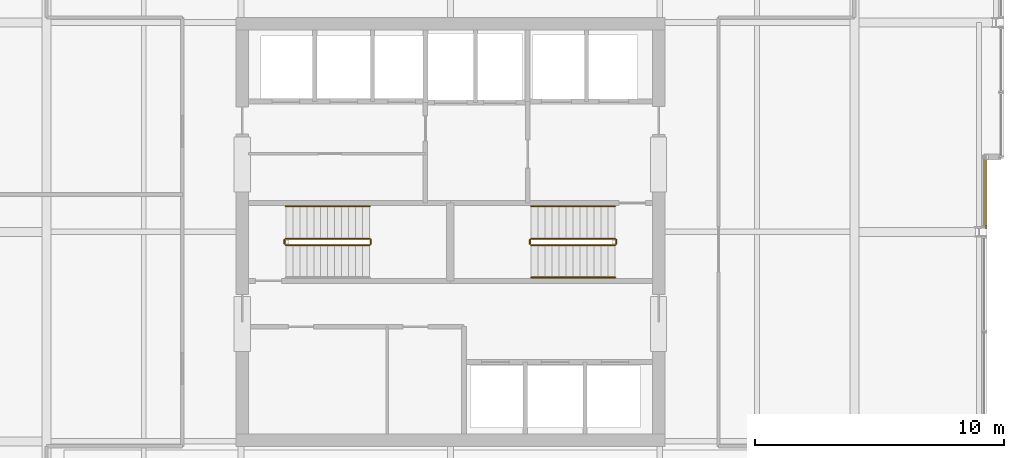
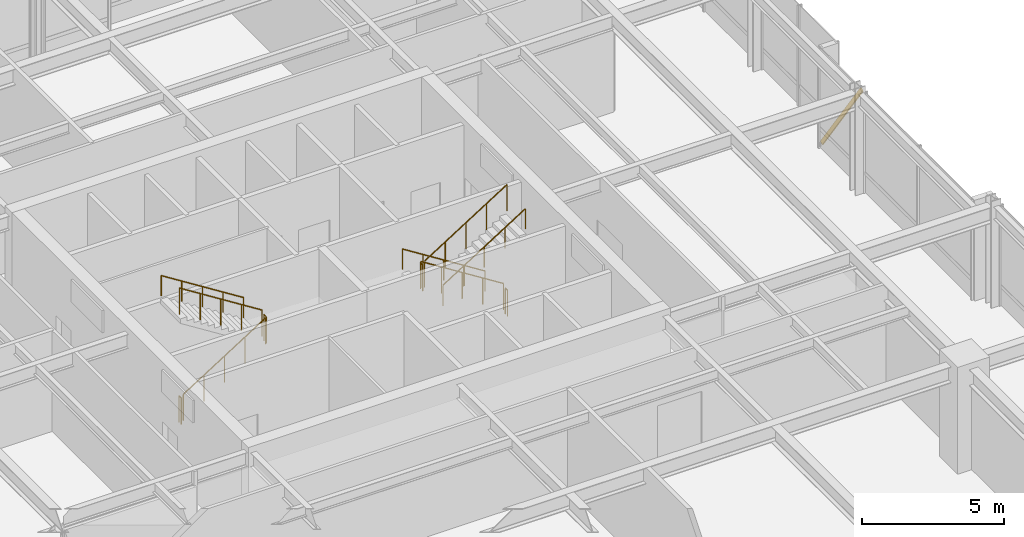
# One storey, part 31 of 32: 11 railings, 1 shading device.
"""IFC4 building model written with IfcOpenShell, lengths in metres."""

from ifc_helpers import new_model, si_unit, direction, frame, origin, origin_2d, place, context, subcontext, project, spatial, hollow_rectangle, circle, extrude, material, material_profile, profile_set, type_object, element, save


model = new_model("IFC4")

# Units and contexts
model_context = context("Model", 3, precision=1e-05, world=origin(), true_north=direction((0.0, 1.0)))
body_context = subcontext(model_context, "Body", "Model", "MODEL_VIEW")
ifc_project = project(units=[si_unit("LENGTHUNIT", "METRE"), si_unit("AREAUNIT", "SQUARE_METRE"), si_unit("VOLUMEUNIT", "CUBIC_METRE"), si_unit("PLANEANGLEUNIT", "RADIAN"), si_unit("MASSUNIT", "GRAM", prefix="KILO")], contexts=[model_context])

# Site, building, storey
site_placement = place(None, origin())
site = spatial("IfcSite", under=ifc_project, at=site_placement, CompositionType="ELEMENT")
building_placement = place(site_placement, origin())
building = spatial("IfcBuilding", under=site, at=building_placement, Name="Drelvath Grand Hotel", CompositionType="ELEMENT")
storey_placement = place(building_placement, frame((0.0, 0.0, 145.800048828125)))
storey = spatial("IfcBuildingStorey", under=building, at=storey_placement, Name="L37", CompositionType="ELEMENT", Elevation=145.800048828125)

# Railings
ifc_material_1 = material(Name="Painted Steel S275", Category="steel")
railing_type_1 = type_object("IfcRailingType", Name="Core Stair Wall Handrail 900", PredefinedType="HANDRAIL", material=ifc_material_1)
railing_1_placement = place(storey_placement, frame((-3.239990234375, 28.030029296875, 2.476806640625)))
element("IfcRailing", 1, at=railing_1_placement, inside=storey, type_object=railing_type_1, Name="L37 ST-1 stair handrail 2", PredefinedType="HANDRAIL", context=body_context, shape_type="SweptSolid", body=[
    extrude(circle(Radius=0.02392578125, at=origin_2d()), frame((0.0, 0.0, 0.8759765625), z_axis=(-0.845389635667, 0.0, 0.534150132366), x_axis=(0.0, -1.0, 0.0)), (0.0, 0.0, 1.0), 3.974609375),
    extrude(circle(Radius=0.02099609375, at=origin_2d()), origin(), (0.0, 0.0, 1.0), 0.851806640625),
    extrude(circle(Radius=0.02099609375, at=origin_2d()), frame((-0.840087890625, 0.0, 0.53076171875)), (0.0, 0.0, 1.0), 0.851806640625),
    extrude(circle(Radius=0.02099609375, at=origin_2d()), frame((-1.68017578125, 0.0, 1.0615234375)), (0.0, 0.0, 1.0), 0.851806640625),
    extrude(circle(Radius=0.02099609375, at=origin_2d()), frame((-2.52001953125, 0.0, 1.59228515625)), (0.0, 0.0, 1.0), 0.851806640625),
    extrude(circle(Radius=0.02099609375, at=origin_2d()), frame((-3.360107421875, 0.0, 2.123046875)), (0.0, 0.0, 1.0), 0.851806640625),
])
railing_2_placement = place(storey_placement, frame((6.60009765625, 28.030029296875, 0.1767578125)))
element("IfcRailing", 2, at=railing_2_placement, inside=storey, type_object=railing_type_1, Name="L37 ST-2 stair handrail 1", PredefinedType="HANDRAIL", context=body_context, shape_type="SweptSolid", body=[
    extrude(circle(Radius=0.02392578125, at=origin_2d()), frame((0.0, 0.0, 0.8759765625), z_axis=(-0.845361898145, 0.0, 0.534194029511), x_axis=(0.0, -1.0, 0.0)), (0.0, 0.0, 1.0), 3.974853515625),
    extrude(circle(Radius=0.02099609375, at=origin_2d()), origin(), (0.0, 0.0, 1.0), 0.851806640625),
    extrude(circle(Radius=0.02099609375, at=origin_2d()), frame((-0.840087890625, 0.0, 0.53076171875)), (0.0, 0.0, 1.0), 0.851806640625),
    extrude(circle(Radius=0.02099609375, at=origin_2d()), frame((-1.68017578125, 0.0, 1.0615234375)), (0.0, 0.0, 1.0), 0.851806640625),
    extrude(circle(Radius=0.02099609375, at=origin_2d()), frame((-2.52001953125, 0.0, 1.592529296875)), (0.0, 0.0, 1.0), 0.851806640625),
    extrude(circle(Radius=0.02099609375, at=origin_2d()), frame((-3.360107421875, 0.0, 2.123291015625)), (0.0, 0.0, 1.0), 0.851806640625),
])
railing_3_placement = place(storey_placement, frame((3.239990234375, 25.169921875, 2.476806640625)))
element("IfcRailing", 3, at=railing_3_placement, inside=storey, type_object=railing_type_1, Name="L37 ST-2 stair handrail 2", PredefinedType="HANDRAIL", context=body_context, shape_type="SweptSolid", body=[
    extrude(circle(Radius=0.02392578125, at=origin_2d()), frame((0.0, 0.0, 0.8759765625), z_axis=(0.845389635667, 0.0, 0.534150132366), x_axis=(0.0, 1.0, 0.0)), (0.0, 0.0, 1.0), 3.974609375),
    extrude(circle(Radius=0.02099609375, at=origin_2d()), origin(), (0.0, 0.0, 1.0), 0.851806640625),
    extrude(circle(Radius=0.02099609375, at=origin_2d()), frame((0.840087890625, 0.0, 0.53076171875)), (0.0, 0.0, 1.0), 0.851806640625),
    extrude(circle(Radius=0.02099609375, at=origin_2d()), frame((1.68017578125, 0.0, 1.0615234375)), (0.0, 0.0, 1.0), 0.851806640625),
    extrude(circle(Radius=0.02099609375, at=origin_2d()), frame((2.52001953125, 0.0, 1.59228515625)), (0.0, 0.0, 1.0), 0.851806640625),
    extrude(circle(Radius=0.02099609375, at=origin_2d()), frame((3.360107421875, 0.0, 2.123046875)), (0.0, 0.0, 1.0), 0.851806640625),
])
railing_type_2 = type_object("IfcRailingType", Name="Core Stair Well Guardrail 1100", PredefinedType="GUARDRAIL", material=ifc_material_1)
railing_4_placement = place(storey_placement, frame((-6.60009765625, 26.469970703125, 0.1767578125)))
element("IfcRailing", 4, at=railing_4_placement, inside=storey, type_object=railing_type_2, Name="L37 ST-1 stair guard 1", PredefinedType="GUARDRAIL", context=body_context, shape_type="SweptSolid", body=[
    extrude(circle(Radius=0.02392578125, at=origin_2d()), frame((0.0, 0.0, 1.1259765625), z_axis=(0.845361898145, 0.0, 0.534194029511), x_axis=(0.0, 1.0, 0.0)), (0.0, 0.0, 1.0), 3.974853515625),
    extrude(circle(Radius=0.02099609375, at=origin_2d()), origin(), (0.0, 0.0, 1.0), 1.101806640625),
    extrude(circle(Radius=0.02099609375, at=origin_2d()), frame((0.840087890625, 0.0, 0.53076171875)), (0.0, 0.0, 1.0), 1.101806640625),
    extrude(circle(Radius=0.02099609375, at=origin_2d()), frame((1.68017578125, 0.0, 1.0615234375)), (0.0, 0.0, 1.0), 1.101806640625),
    extrude(circle(Radius=0.02099609375, at=origin_2d()), frame((2.52001953125, 0.0, 1.592529296875)), (0.0, 0.0, 1.0), 1.101806640625),
    extrude(circle(Radius=0.02099609375, at=origin_2d()), frame((3.360107421875, 0.0, 2.123291015625)), (0.0, 0.0, 1.0), 1.101806640625),
])
railing_5_placement = place(storey_placement, frame((-3.18994140625, 26.52001953125, 2.300048828125)))
element("IfcRailing", 5, at=railing_5_placement, inside=storey, type_object=railing_type_2, Name="L37 ST-1 stair guard 2", PredefinedType="GUARDRAIL", context=body_context, shape_type="SweptSolid", body=[
    extrude(circle(Radius=0.02392578125, at=origin_2d()), frame((0.0, 0.0, 1.1259765625), z_axis=(0.0, 1.0, 0.0), x_axis=(-1.0, 0.0, 0.0)), (0.0, 0.0, 1.0), 0.159912109375),
    extrude(circle(Radius=0.02099609375, at=origin_2d()), origin(), (0.0, 0.0, 1.0), 1.101806640625),
    extrude(circle(Radius=0.02099609375, at=origin_2d()), frame((0.0, 0.159912109375, 0.0)), (0.0, 0.0, 1.0), 1.101806640625),
])
railing_6_placement = place(storey_placement, frame((-3.239990234375, 26.72998046875, 2.476806640625)))
element("IfcRailing", 6, at=railing_6_placement, inside=storey, type_object=railing_type_2, Name="L37 ST-1 stair guard 3", PredefinedType="GUARDRAIL", context=body_context, shape_type="SweptSolid", body=[
    extrude(circle(Radius=0.02392578125, at=origin_2d()), frame((0.0, 0.0, 1.1259765625), z_axis=(-0.845389635667, 0.0, 0.534150132366), x_axis=(0.0, -1.0, 0.0)), (0.0, 0.0, 1.0), 3.974609375),
    extrude(circle(Radius=0.02099609375, at=origin_2d()), origin(), (0.0, 0.0, 1.0), 1.101806640625),
    extrude(circle(Radius=0.02099609375, at=origin_2d()), frame((-0.840087890625, 0.0, 0.53076171875)), (0.0, 0.0, 1.0), 1.101806640625),
    extrude(circle(Radius=0.02099609375, at=origin_2d()), frame((-1.68017578125, 0.0, 1.0615234375)), (0.0, 0.0, 1.0), 1.101806640625),
    extrude(circle(Radius=0.02099609375, at=origin_2d()), frame((-2.52001953125, 0.0, 1.59228515625)), (0.0, 0.0, 1.0), 1.101806640625),
    extrude(circle(Radius=0.02099609375, at=origin_2d()), frame((-3.360107421875, 0.0, 2.123046875)), (0.0, 0.0, 1.0), 1.101806640625),
])
railing_7_placement = place(storey_placement, frame((-6.64990234375, 26.52001953125, 0.0)))
element("IfcRailing", 7, at=railing_7_placement, inside=storey, type_object=railing_type_2, Name="L37 ST-1 stair guard 4", PredefinedType="GUARDRAIL", context=body_context, shape_type="SweptSolid", body=[
    extrude(circle(Radius=0.02392578125, at=origin_2d()), frame((0.0, 0.0, 1.1259765625), z_axis=(0.0, 1.0, 0.0), x_axis=(-1.0, 0.0, 0.0)), (0.0, 0.0, 1.0), 0.159912109375),
    extrude(circle(Radius=0.02099609375, at=origin_2d()), origin(), (0.0, 0.0, 1.0), 1.101806640625),
    extrude(circle(Radius=0.02099609375, at=origin_2d()), frame((0.0, 0.159912109375, 0.0)), (0.0, 0.0, 1.0), 1.101806640625),
])
railing_8_placement = place(storey_placement, frame((6.60009765625, 26.72998046875, 0.1767578125)))
element("IfcRailing", 8, at=railing_8_placement, inside=storey, type_object=railing_type_2, Name="L37 ST-2 stair guard 1", PredefinedType="GUARDRAIL", context=body_context, shape_type="SweptSolid", body=[
    extrude(circle(Radius=0.02392578125, at=origin_2d()), frame((0.0, 0.0, 1.1259765625), z_axis=(-0.845361898145, 0.0, 0.534194029511), x_axis=(0.0, -1.0, 0.0)), (0.0, 0.0, 1.0), 3.974853515625),
    extrude(circle(Radius=0.02099609375, at=origin_2d()), origin(), (0.0, 0.0, 1.0), 1.101806640625),
    extrude(circle(Radius=0.02099609375, at=origin_2d()), frame((-0.840087890625, 0.0, 0.53076171875)), (0.0, 0.0, 1.0), 1.101806640625),
    extrude(circle(Radius=0.02099609375, at=origin_2d()), frame((-1.68017578125, 0.0, 1.0615234375)), (0.0, 0.0, 1.0), 1.101806640625),
    extrude(circle(Radius=0.02099609375, at=origin_2d()), frame((-2.52001953125, 0.0, 1.592529296875)), (0.0, 0.0, 1.0), 1.101806640625),
    extrude(circle(Radius=0.02099609375, at=origin_2d()), frame((-3.360107421875, 0.0, 2.123291015625)), (0.0, 0.0, 1.0), 1.101806640625),
])
railing_9_placement = place(storey_placement, frame((3.18994140625, 26.679931640625, 2.300048828125)))
element("IfcRailing", 9, at=railing_9_placement, inside=storey, type_object=railing_type_2, Name="L37 ST-2 stair guard 2", PredefinedType="GUARDRAIL", context=body_context, shape_type="SweptSolid", body=[
    extrude(circle(Radius=0.02392578125, at=origin_2d()), frame((0.0, 0.0, 1.1259765625), z_axis=(0.0, -1.0, 0.0), x_axis=(1.0, 0.0, 0.0)), (0.0, 0.0, 1.0), 0.159912109375),
    extrude(circle(Radius=0.02099609375, at=origin_2d()), origin(), (0.0, 0.0, 1.0), 1.101806640625),
    extrude(circle(Radius=0.02099609375, at=origin_2d()), frame((0.0, -0.159912109375, 0.0)), (0.0, 0.0, 1.0), 1.101806640625),
])
railing_10_placement = place(storey_placement, frame((3.239990234375, 26.469970703125, 2.476806640625)))
element("IfcRailing", 10, at=railing_10_placement, inside=storey, type_object=railing_type_2, Name="L37 ST-2 stair guard 3", PredefinedType="GUARDRAIL", context=body_context, shape_type="SweptSolid", body=[
    extrude(circle(Radius=0.02392578125, at=origin_2d()), frame((0.0, 0.0, 1.1259765625), z_axis=(0.845389635667, 0.0, 0.534150132366), x_axis=(0.0, 1.0, 0.0)), (0.0, 0.0, 1.0), 3.974609375),
    extrude(circle(Radius=0.02099609375, at=origin_2d()), origin(), (0.0, 0.0, 1.0), 1.101806640625),
    extrude(circle(Radius=0.02099609375, at=origin_2d()), frame((0.840087890625, 0.0, 0.53076171875)), (0.0, 0.0, 1.0), 1.101806640625),
    extrude(circle(Radius=0.02099609375, at=origin_2d()), frame((1.68017578125, 0.0, 1.0615234375)), (0.0, 0.0, 1.0), 1.101806640625),
    extrude(circle(Radius=0.02099609375, at=origin_2d()), frame((2.52001953125, 0.0, 1.59228515625)), (0.0, 0.0, 1.0), 1.101806640625),
    extrude(circle(Radius=0.02099609375, at=origin_2d()), frame((3.360107421875, 0.0, 2.123046875)), (0.0, 0.0, 1.0), 1.101806640625),
])
railing_11_placement = place(storey_placement, frame((6.64990234375, 26.679931640625, 0.0)))
element("IfcRailing", 11, at=railing_11_placement, inside=storey, type_object=railing_type_2, Name="L37 ST-2 stair guard 4", PredefinedType="GUARDRAIL", context=body_context, shape_type="SweptSolid", body=[
    extrude(circle(Radius=0.02392578125, at=origin_2d()), frame((0.0, 0.0, 1.1259765625), z_axis=(0.0, -1.0, 0.0), x_axis=(1.0, 0.0, 0.0)), (0.0, 0.0, 1.0), 0.159912109375),
    extrude(circle(Radius=0.02099609375, at=origin_2d()), origin(), (0.0, 0.0, 1.0), 1.101806640625),
    extrude(circle(Radius=0.02099609375, at=origin_2d()), frame((0.0, -0.159912109375, 0.0)), (0.0, 0.0, 1.0), 1.101806640625),
])

# Shading device
ifc_material_2 = material(Name="Brushed Pale-Silver Anodised Aluminium", Category="aluminium")
ifc_material_profile = material_profile(ifc_material_2, hollow_rectangle(XDim=0.06494140625, YDim=0.159912109375, WallThickness=0.00390625, at=origin_2d()), Name="HSS160X65X4")
ifc_profile_set = profile_set([ifc_material_profile], Name="Brushed Pale-Silver Anodised Aluminium")
shading_device_type = type_object("IfcShadingDeviceType", Name="Diagonal Solar Fin Pale-Silver Anodised HSS160X65X4", PredefinedType="USERDEFINED", material=ifc_profile_set)
shading_device_placement = place(storey_placement, frame((21.47998046875, 30.0, 0.179931640625), z_axis=(0.0, -0.575366635701, 0.817895613463), x_axis=(1.0, 0.0, 0.0)))
element("IfcShadingDevice", 12, at=shading_device_placement, inside=storey, type_object=shading_device_type, Name="L37 Diagonal Anodised Fin CW04-L37-EM2", ObjectType="FIN", PredefinedType="USERDEFINED", context=body_context, shape_type="SweptSolid", body=[
    extrude(hollow_rectangle(XDim=0.06494140625, YDim=0.159912109375, WallThickness=0.00390625, at=origin_2d()), origin(), (0.0, 0.0, 1.0), 4.8662109375),
])

save(model, "model.ifc")
